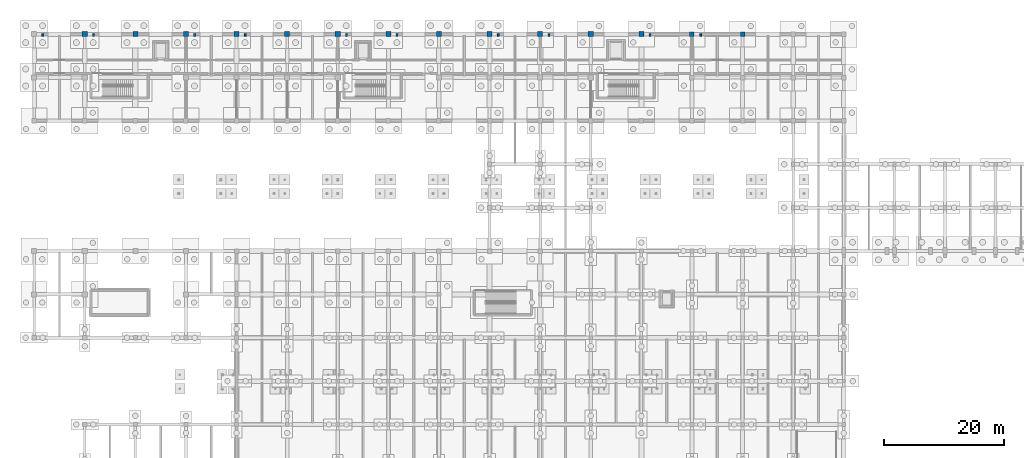
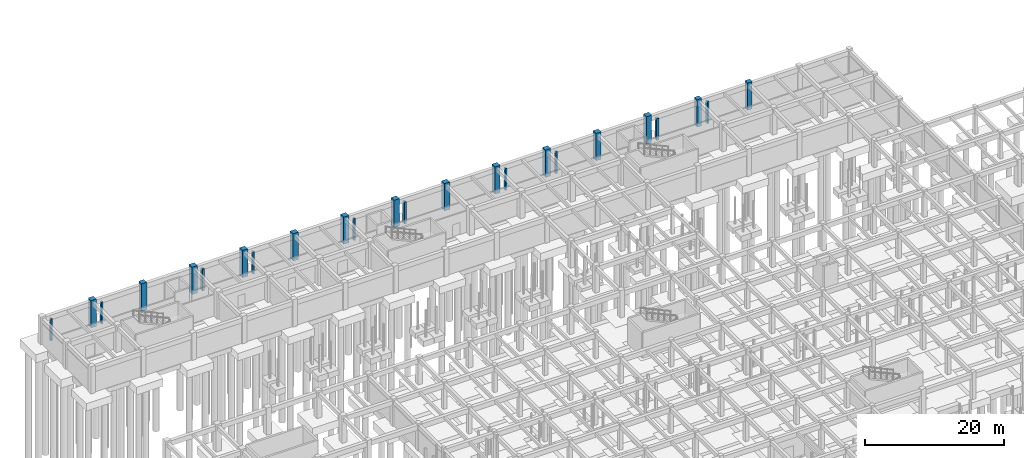
# One storey, part 49 of 80: 24 columns.
"""IFC4 building model written with IfcOpenShell, lengths in metres."""

from ifc_helpers import new_model, si_unit, direction, frame, origin, origin_2d, place, context, subcontext, project, spatial, rectangle, extrude, material, material_profile, profile_set, type_object, element, save


model = new_model("IFC4")

# Units and contexts
model_context = context("Model", 3, precision=1e-05, world=origin(), true_north=direction((0.0, 1.0)))
body_context = subcontext(model_context, "Body", "Model", "MODEL_VIEW")
ifc_project = project(units=[si_unit("LENGTHUNIT", "METRE"), si_unit("AREAUNIT", "SQUARE_METRE"), si_unit("VOLUMEUNIT", "CUBIC_METRE"), si_unit("PLANEANGLEUNIT", "RADIAN"), si_unit("MASSUNIT", "GRAM", prefix="KILO")], contexts=[model_context])

# Site, building, storey
site_placement = place(None, origin())
site = spatial("IfcSite", under=ifc_project, at=site_placement, CompositionType="ELEMENT")
building_placement = place(site_placement, origin())
building = spatial("IfcBuilding", under=site, at=building_placement, Name="Malvenik Polytechnic", CompositionType="ELEMENT")
storey_placement = place(building_placement, frame((0.0, 0.0, -4.800048828125)))
storey = spatial("IfcBuildingStorey", under=building, at=storey_placement, Name="B1", CompositionType="ELEMENT", Elevation=-4.800048828125)

# Columns
ifc_material_1 = material(Name="Concrete C40/50", Category="concrete")
ifc_material_profile_1 = material_profile(ifc_material_1, rectangle(XDim=0.85009765625, YDim=0.85009765625, at=origin_2d()), Name="RC COL 850x850")
ifc_profile_set_1 = profile_set([ifc_material_profile_1], Name="Concrete C40/50")
column_type_1 = type_object("IfcColumnType", Name="STR-COL-C-01", PredefinedType="COLUMN", material=ifc_profile_set_1)
for number, where, z_axis, x_axis, name in (
    (1, (8.39990234375, 129.60009765625, 0.0), (0.0, 0.0, 1.0), (1.0, 0.0, 0.0), "Column C-01 B1 (8.4,129.6)"),
    (2, (16.800048828125, 129.60009765625, 0.0), (0.0, 0.0, 1.0), (1.0, 0.0, 0.0), "Column C-01 B1 (16.8,129.6)"),
    (3, (25.199951171875, 129.60009765625, 0.0), (0.0, 0.0, 1.0), (1.0, 0.0, 0.0), "Column C-01 B1 (25.2,129.6)"),
    (4, (33.60009765625, 129.60009765625, 0.0), (0.0, 0.0, 1.0), (1.0, 0.0, 0.0), "Column C-01 B1 (33.6,129.6)"),
    (5, (42.0, 129.60009765625, 0.0), (0.0, 0.0, 1.0), (1.0, 0.0, 0.0), "Column C-01 B1 (42.0,129.6)"),
    (6, (50.39990234375, 129.60009765625, 0.0), (0.0, 0.0, 1.0), (1.0, 0.0, 0.0), "Column C-01 B1 (50.4,129.6)"),
    (7, (58.800048828125, 129.60009765625, 0.0), (0.0, 0.0, 1.0), (1.0, 0.0, 0.0), "Column C-01 B1 (58.8,129.6)"),
    (8, (67.199951171875, 129.60009765625, 0.0), (0.0, 0.0, 1.0), (1.0, 0.0, 0.0), "Column C-01 B1 (67.2,129.6)"),
    (9, (75.60009765625, 129.60009765625, 0.0), (0.0, 0.0, 1.0), (1.0, 0.0, 0.0), "Column C-01 B1 (75.6,129.6)"),
    (10, (84.0, 129.60009765625, 0.0), (0.0, 0.0, 1.0), (1.0, 0.0, 0.0), "Column C-01 B1 (84.0,129.6)"),
    (11, (92.39990234375, 129.60009765625, 0.0), (0.0, 0.0, 1.0), (1.0, 0.0, 0.0), "Column C-01 B1 (92.4,129.6)"),
    (12, (100.800048828125, 129.60009765625, 0.0), (0.0, 0.0, 1.0), (1.0, 0.0, 0.0), "Column C-01 B1 (100.8,129.6)"),
):
    element("IfcColumn", number, at=place(storey_placement, frame(where, z_axis=z_axis, x_axis=x_axis)), inside=storey, type_object=column_type_1, Name=name, PredefinedType="COLUMN", context=body_context, shape_type="SweptSolid", body=[
        extrude(rectangle(XDim=0.85009765625, YDim=0.85009765625, at=origin_2d()), origin(), (0.0, 0.0, 1.0), 4.800048828125),
    ])
ifc_material_profile_2 = material_profile(ifc_material_1, rectangle(XDim=0.75, YDim=0.75, at=origin_2d()), Name="RC COL 750x750")
ifc_profile_set_2 = profile_set([ifc_material_profile_2], Name="Concrete C40/50")
column_type_2 = type_object("IfcColumnType", Name="STR-COL-C-03", PredefinedType="COLUMN", material=ifc_profile_set_2)
for number, where, z_axis, x_axis, name in (
    (13, (109.199951171875, 129.60009765625, 0.0), (0.0, 0.0, 1.0), (1.0, 0.0, 0.0), "Column C-03 B1 (109.2,129.6)"),
    (14, (117.60009765625, 129.60009765625, 0.0), (0.0, 0.0, 1.0), (1.0, 0.0, 0.0), "Column C-03 B1 (117.6,129.6)"),
):
    element("IfcColumn", number, at=place(storey_placement, frame(where, z_axis=z_axis, x_axis=x_axis)), inside=storey, type_object=column_type_2, Name=name, PredefinedType="COLUMN", context=body_context, shape_type="SweptSolid", body=[
        extrude(rectangle(XDim=0.75, YDim=0.75, at=origin_2d()), origin(), (0.0, 0.0, 1.0), 4.800048828125),
    ])
ifc_material_2 = material(Name="Precast concrete C40/50", Category="concrete")
ifc_material_profile_3 = material_profile(ifc_material_2, rectangle(XDim=0.35009765625, YDim=0.5, at=origin_2d()), Name="RC PIL 500x350")
ifc_profile_set_3 = profile_set([ifc_material_profile_3], Name="Precast concrete C40/50")
column_type_3 = type_object("IfcColumnType", Name="STR-COL-PL-C1", PredefinedType="PILASTER", material=ifc_profile_set_3)
for number, where, z_axis, x_axis, name in (
    (15, (26.64990234375, 129.449951171875, 0.0), (0.0, 0.0, 1.0), (1.0, 0.0, 0.0), "Facade Pilaster PL-C1 B1 #3"),
    (16, (60.25, 129.449951171875, 0.0), (0.0, 0.0, 1.0), (1.0, 0.0, 0.0), "Facade Pilaster PL-C1 B1 #6"),
    (17, (102.25, 129.449951171875, 0.0), (0.0, 0.0, 1.0), (1.0, 0.0, 0.0), "Facade Pilaster PL-C1 B1 #9"),
):
    element("IfcColumn", number, at=place(storey_placement, frame(where, z_axis=z_axis, x_axis=x_axis)), inside=storey, type_object=column_type_3, Name=name, PredefinedType="PILASTER", context=body_context, shape_type="SweptSolid", body=[
        extrude(rectangle(XDim=0.35009765625, YDim=0.5, at=origin_2d()), origin(), (0.0, 0.0, 1.0), 3.85009765625),
    ])
ifc_material_profile_4 = material_profile(ifc_material_2, rectangle(XDim=0.300048828125, YDim=0.449951171875, at=origin_2d()), Name="RC PIL 450x300")
ifc_profile_set_4 = profile_set([ifc_material_profile_4], Name="Precast concrete C40/50")
column_type_4 = type_object("IfcColumnType", Name="STR-COL-PL-C2", PredefinedType="PILASTER", material=ifc_profile_set_4)
for number, where, z_axis, x_axis, name in (
    (18, (1.449951171875, 129.449951171875, 0.0), (0.0, 0.0, 1.0), (1.0, 0.0, 0.0), "Facade Pilaster PL-C2 B1 #1"),
    (19, (35.050048828125, 129.449951171875, 0.0), (0.0, 0.0, 1.0), (1.0, 0.0, 0.0), "Facade Pilaster PL-C2 B1 #4"),
    (20, (77.050048828125, 129.449951171875, 0.0), (0.0, 0.0, 1.0), (1.0, 0.0, 0.0), "Facade Pilaster PL-C2 B1 #7"),
    (21, (110.64990234375, 129.449951171875, 0.0), (0.0, 0.0, 1.0), (1.0, 0.0, 0.0), "Facade Pilaster PL-C2 B1 #10"),
):
    element("IfcColumn", number, at=place(storey_placement, frame(where, z_axis=z_axis, x_axis=x_axis)), inside=storey, type_object=column_type_4, Name=name, PredefinedType="PILASTER", context=body_context, shape_type="SweptSolid", body=[
        extrude(rectangle(XDim=0.300048828125, YDim=0.449951171875, at=origin_2d()), origin(), (0.0, 0.0, 1.0), 3.85009765625),
    ])
ifc_material_profile_5 = material_profile(ifc_material_2, rectangle(XDim=0.280029296875, YDim=0.39990234375, at=origin_2d()), Name="RC PIL 400x280")
ifc_profile_set_5 = profile_set([ifc_material_profile_5], Name="Precast concrete C40/50")
column_type_5 = type_object("IfcColumnType", Name="STR-COL-PL-C3", PredefinedType="PILASTER", material=ifc_profile_set_5)
for number, where, z_axis, x_axis, name in (
    (22, (9.85009765625, 129.449951171875, 0.0), (0.0, 0.0, 1.0), (1.0, 0.0, 0.0), "Facade Pilaster PL-C3 B1 #2"),
    (23, (51.85009765625, 129.449951171875, 0.0), (0.0, 0.0, 1.0), (1.0, 0.0, 0.0), "Facade Pilaster PL-C3 B1 #5"),
    (24, (85.449951171875, 129.449951171875, 0.0), (0.0, 0.0, 1.0), (1.0, 0.0, 0.0), "Facade Pilaster PL-C3 B1 #8"),
):
    element("IfcColumn", number, at=place(storey_placement, frame(where, z_axis=z_axis, x_axis=x_axis)), inside=storey, type_object=column_type_5, Name=name, PredefinedType="PILASTER", context=body_context, shape_type="SweptSolid", body=[
        extrude(rectangle(XDim=0.280029296875, YDim=0.39990234375, at=origin_2d()), origin(), (0.0, 0.0, 1.0), 3.85009765625),
    ])

save(model, "model.ifc")
